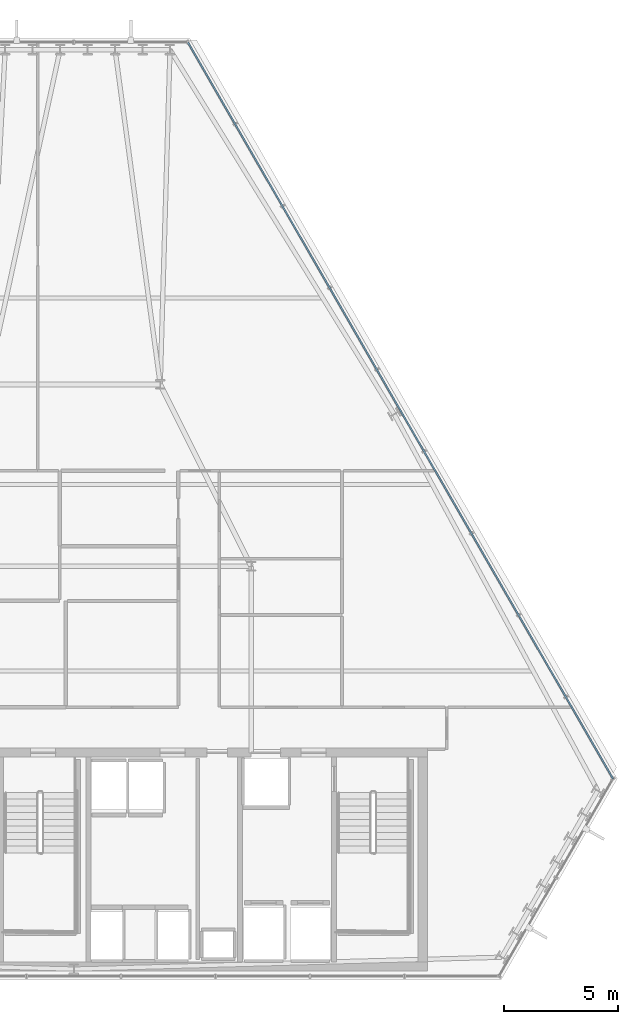
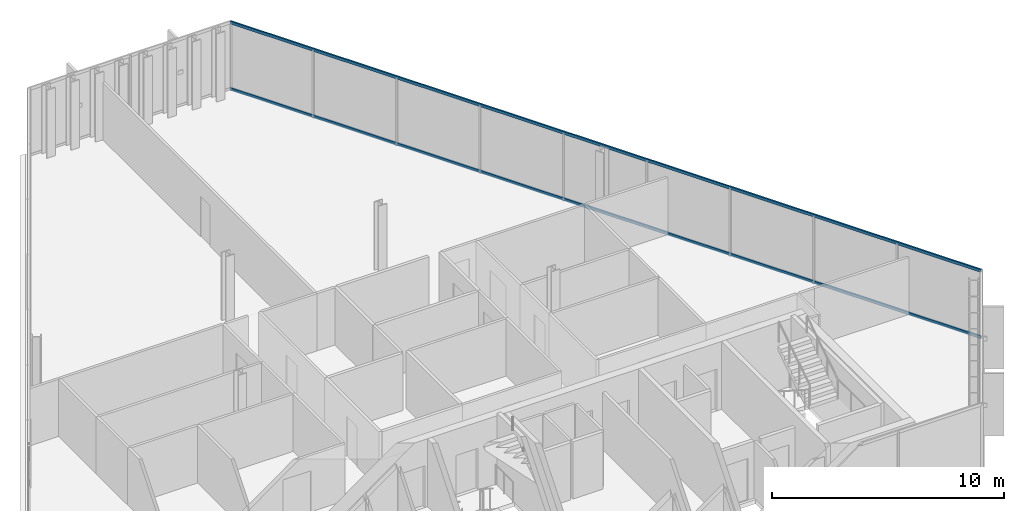
# One storey, part 20 of 35: 2 members, 1 element without a shape of its own.
"""IFC4 building model written with IfcOpenShell, lengths in metres."""

from ifc_helpers import new_model, si_unit, direction, frame, origin, origin_2d, place, context, subcontext, project, spatial, hollow_rectangle, extrude, material, layer, layer_set, material_profile, profile_set, type_object, element, aggregate, save


model = new_model("IFC4")

# Units and contexts
model_context = context("Model", 3, precision=1e-05, world=origin(), true_north=direction((0.0, 1.0)))
body_context = subcontext(model_context, "Body", "Model", "MODEL_VIEW")
ifc_project = project(units=[si_unit("LENGTHUNIT", "METRE"), si_unit("AREAUNIT", "SQUARE_METRE"), si_unit("VOLUMEUNIT", "CUBIC_METRE"), si_unit("PLANEANGLEUNIT", "RADIAN"), si_unit("MASSUNIT", "GRAM", prefix="KILO")], contexts=[model_context])

# Site, building, storey
site_placement = place(None, origin())
site = spatial("IfcSite", under=ifc_project, at=site_placement, CompositionType="ELEMENT")
building_placement = place(site_placement, origin())
building = spatial("IfcBuilding", under=site, at=building_placement, Name="Ndaravel Arena Tower", CompositionType="ELEMENT")
storey_placement = place(building_placement, frame((0.0, 0.0, 172.60009765625)))
storey = spatial("IfcBuildingStorey", under=building, at=storey_placement, Name="L41", CompositionType="ELEMENT", Elevation=172.60009765625)

# Curtain wall, members
ifc_material_1 = material(Name="Aluminium", Category="aluminium")
ifc_layer = layer(ifc_material_1, 0.179931640625)
ifc_layer_set = layer_set([ifc_layer], Name="Aluminium")
curtain_wall_type = type_object("IfcCurtainWallType", Name="CW-SYS-03", PredefinedType="NOTDEFINED", material=ifc_layer_set)
curtain_wall_placement = place(storey_placement, origin())
curtain_wall = element("IfcCurtainWall", 1, at=curtain_wall_placement, inside=storey, type_object=curtain_wall_type, Name="L41 Faceted Crystal Curtain Wall CW-L41-E03", PredefinedType="NOTDEFINED")
ifc_material_2 = material(Name="Aluminium", Category="aluminium")
ifc_material_profile = material_profile(ifc_material_2, hollow_rectangle(XDim=0.074951171875, YDim=0.14990234375, WallThickness=0.00390625, at=origin_2d()), Name="CW TRANSOM 75x150x4")
ifc_profile_set = profile_set([ifc_material_profile], Name="Aluminium")
member_type = type_object("IfcMemberType", Name="MEM-CW-TRN150", PredefinedType="USERDEFINED", material=ifc_profile_set)
member_1_placement = place(storey_placement, frame((65.72216796875, 13.852783203125, 0.039794921875), z_axis=(-0.499996270439, 0.866027557037, 0.0), x_axis=(-0.866027557037, -0.499996270439, 0.0)))
member_1 = element("IfcMember", 2, at=member_1_placement, type_object=member_type, Name="CW-L41-E03 Transom 01", ObjectType="TRANSOM", PredefinedType="USERDEFINED", context=body_context, shape_type="SweptSolid", body=[
    extrude(hollow_rectangle(XDim=0.074951171875, YDim=0.14990234375, WallThickness=0.00390625, at=origin_2d()), origin(), (0.0, 0.0, 1.0), 37.406982421875),
])
member_2_placement = place(storey_placement, frame((65.72216796875, 13.852783203125, 3.539794921875), z_axis=(-0.499996270439, 0.866027557037, 0.0), x_axis=(-0.866027557037, -0.499996270439, 0.0)))
member_2 = element("IfcMember", 3, at=member_2_placement, type_object=member_type, Name="CW-L41-E03 Transom 02", ObjectType="TRANSOM", PredefinedType="USERDEFINED", context=body_context, shape_type="SweptSolid", body=[
    extrude(hollow_rectangle(XDim=0.074951171875, YDim=0.14990234375, WallThickness=0.00390625, at=origin_2d()), origin(), (0.0, 0.0, 1.0), 37.406982421875),
])
aggregate(curtain_wall, [member_1, member_2])

save(model, "model.ifc")
